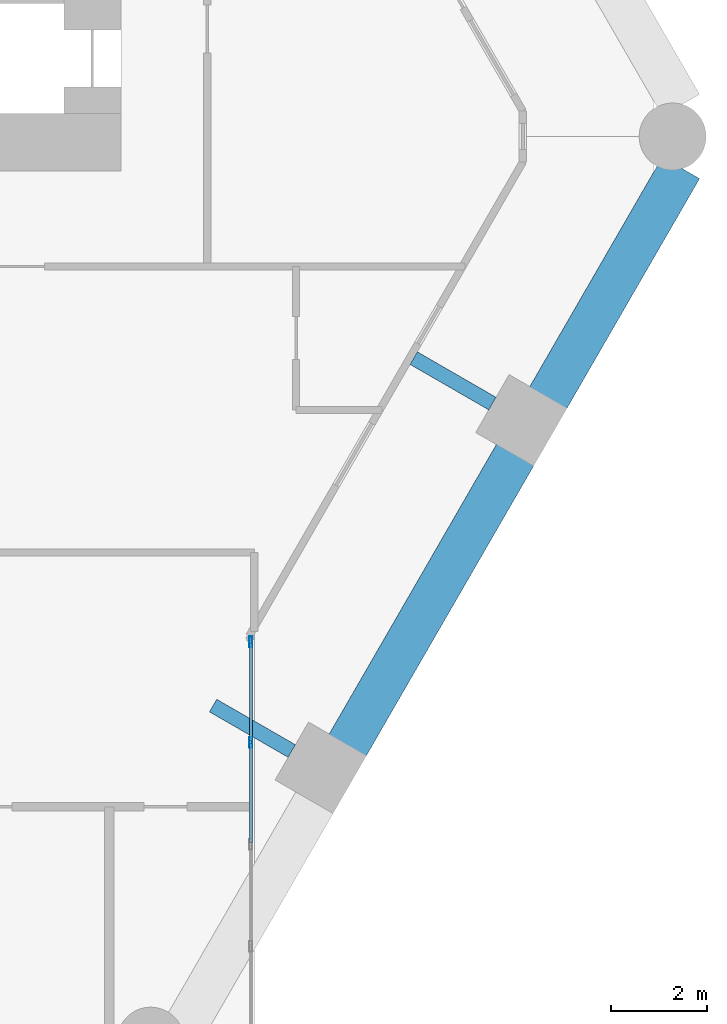
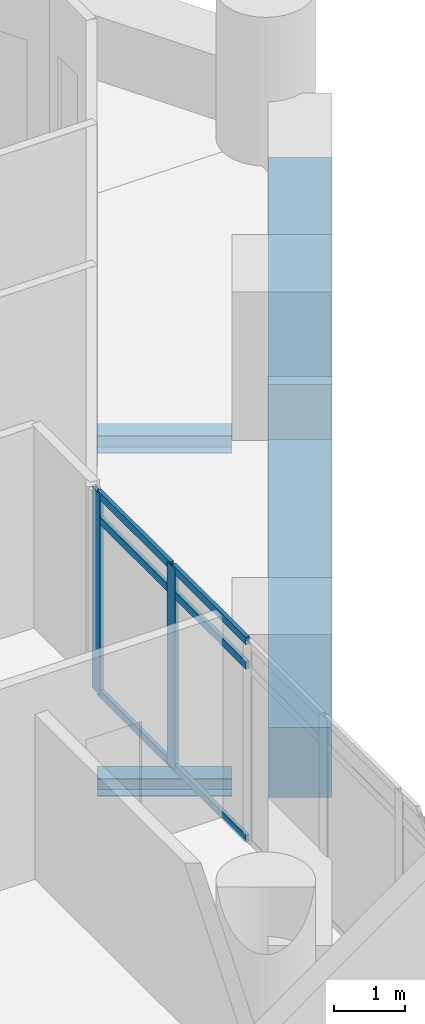
# One storey, part 11 of 28: 8 members, 4 beams, 1 element without a shape of its own.
"""IFC4 building model written with IfcOpenShell, lengths in metres."""

from ifc_helpers import new_model, si_unit, direction, frame, origin, origin_2d, place, context, subcontext, project, spatial, rectangle, hollow_rectangle, i_section, extrude, material, material_profile, profile_set, type_object, element, aggregate, save


model = new_model("IFC4")

# Units and contexts
model_context = context("Model", 3, precision=1e-05, world=origin(), true_north=direction((0.0, 1.0)))
body_context = subcontext(model_context, "Body", "Model", "MODEL_VIEW")
ifc_project = project(units=[si_unit("LENGTHUNIT", "METRE"), si_unit("AREAUNIT", "SQUARE_METRE"), si_unit("VOLUMEUNIT", "CUBIC_METRE"), si_unit("PLANEANGLEUNIT", "RADIAN"), si_unit("MASSUNIT", "GRAM", prefix="KILO")], contexts=[model_context])

# Site, building, storey
site_placement = place(None, origin())
site = spatial("IfcSite", under=ifc_project, at=site_placement, CompositionType="ELEMENT")
building_placement = place(site_placement, origin())
building = spatial("IfcBuilding", under=site, at=building_placement, Name="Ostrander Bayou Hotel Tower", CompositionType="ELEMENT")
storey_placement = place(building_placement, frame((0.0, 0.0, 73.0)))
storey = spatial("IfcBuildingStorey", under=building, at=storey_placement, Name="L18", CompositionType="ELEMENT", Elevation=73.0)

# Curtain wall, members
ifc_material_1 = material(Name="Aluminium and clear glass", Category="aluminium")
curtain_wall_type = type_object("IfcCurtainWallType", Name="CW-BAR glazed wall", PredefinedType="NOTDEFINED", material=ifc_material_1)
curtain_wall_placement = place(storey_placement, origin())
curtain_wall = element("IfcCurtainWall", 1, at=curtain_wall_placement, inside=storey, type_object=curtain_wall_type, Name="CW-BAR L18:SB1S:W", PredefinedType="NOTDEFINED")
ifc_material_2 = material(Name="Aluminium", Category="aluminium")
ifc_material_profile_1 = material_profile(ifc_material_2, hollow_rectangle(XDim=0.06005859375, YDim=0.219970703125, WallThickness=0.00390625, at=origin_2d()))
ifc_profile_set_1 = profile_set([ifc_material_profile_1], Name="Aluminium")
member_type_1 = type_object("IfcMemberType", Name="CW-BR mullion 60 x 220 mm", PredefinedType="MULLION", material=ifc_profile_set_1)
member_1_placement = place(storey_placement, frame((14.712158203125, -11.547607421875, 0.0), z_axis=(0.0, 0.0, 1.0), x_axis=(1.0, 0.0, 0.0)))
member_1 = element("IfcMember", 2, at=member_1_placement, type_object=member_type_1, Name="CW-BAR mullion 1", PredefinedType="MULLION", context=body_context, shape_type="SweptSolid", body=[
    extrude(hollow_rectangle(XDim=0.06005859375, YDim=0.219970703125, WallThickness=0.00390625, at=origin_2d()), origin(), (0.0, 0.0, 1.0), 3.449951171875),
])
member_2_placement = place(storey_placement, frame((14.712158203125, -13.650634765625, 0.0), z_axis=(0.0, 0.0, 1.0), x_axis=(1.0, 0.0, 0.0)))
member_2 = element("IfcMember", 3, at=member_2_placement, type_object=member_type_1, Name="CW-BAR mullion 2", PredefinedType="MULLION", context=body_context, shape_type="SweptSolid", body=[
    extrude(hollow_rectangle(XDim=0.06005859375, YDim=0.219970703125, WallThickness=0.00390625, at=origin_2d()), origin(), (0.0, 0.0, 1.0), 3.449951171875),
])
ifc_material_3 = material(Name="Aluminium", Category="aluminium")
ifc_material_profile_2 = material_profile(ifc_material_3, hollow_rectangle(XDim=0.06005859375, YDim=0.1298828125, WallThickness=0.00390625, at=origin_2d()))
ifc_profile_set_2 = profile_set([ifc_material_profile_2], Name="Aluminium")
member_type_2 = type_object("IfcMemberType", Name="CW-BR transom 60 x 130 mm", PredefinedType="USERDEFINED", material=ifc_profile_set_2)
member_3_placement = place(storey_placement, frame((14.712158203125, -11.57763671875, 0.030029296875), z_axis=(0.0, -1.0, 0.0), x_axis=(1.0, 0.0, 0.0)))
member_3 = element("IfcMember", 4, at=member_3_placement, type_object=member_type_2, Name="CW-BAR transom 1.1", ObjectType="TRANSOM", PredefinedType="USERDEFINED", context=body_context, shape_type="SweptSolid", body=[
    extrude(hollow_rectangle(XDim=0.06005859375, YDim=0.1298828125, WallThickness=0.00390625, at=origin_2d()), origin(), (0.0, 0.0, 1.0), 2.043212890625),
])
member_4_placement = place(storey_placement, frame((14.712158203125, -11.57763671875, 3.0), z_axis=(0.0, -1.0, 0.0), x_axis=(1.0, 0.0, 0.0)))
member_4 = element("IfcMember", 5, at=member_4_placement, type_object=member_type_2, Name="CW-BAR transom 1.2", ObjectType="TRANSOM", PredefinedType="USERDEFINED", context=body_context, shape_type="SweptSolid", body=[
    extrude(hollow_rectangle(XDim=0.06005859375, YDim=0.1298828125, WallThickness=0.00390625, at=origin_2d()), origin(), (0.0, 0.0, 1.0), 2.043212890625),
])
member_5_placement = place(storey_placement, frame((14.712158203125, -11.57763671875, 3.419921875), z_axis=(0.0, -1.0, 0.0), x_axis=(1.0, 0.0, 0.0)))
member_5 = element("IfcMember", 6, at=member_5_placement, type_object=member_type_2, Name="CW-BAR transom 1.3", ObjectType="TRANSOM", PredefinedType="USERDEFINED", context=body_context, shape_type="SweptSolid", body=[
    extrude(hollow_rectangle(XDim=0.06005859375, YDim=0.1298828125, WallThickness=0.00390625, at=origin_2d()), origin(), (0.0, 0.0, 1.0), 2.043212890625),
])
member_6_placement = place(storey_placement, frame((14.712158203125, -13.6806640625, 0.030029296875), z_axis=(0.0, -1.0, 0.0), x_axis=(1.0, 0.0, 0.0)))
member_6 = element("IfcMember", 7, at=member_6_placement, type_object=member_type_2, Name="CW-BAR transom 2.1", ObjectType="TRANSOM", PredefinedType="USERDEFINED", context=body_context, shape_type="SweptSolid", body=[
    extrude(hollow_rectangle(XDim=0.06005859375, YDim=0.1298828125, WallThickness=0.00390625, at=origin_2d()), origin(), (0.0, 0.0, 1.0), 2.072998046875),
])
member_7_placement = place(storey_placement, frame((14.712158203125, -13.6806640625, 3.0), z_axis=(0.0, -1.0, 0.0), x_axis=(1.0, 0.0, 0.0)))
member_7 = element("IfcMember", 8, at=member_7_placement, type_object=member_type_2, Name="CW-BAR transom 2.2", ObjectType="TRANSOM", PredefinedType="USERDEFINED", context=body_context, shape_type="SweptSolid", body=[
    extrude(hollow_rectangle(XDim=0.06005859375, YDim=0.1298828125, WallThickness=0.00390625, at=origin_2d()), origin(), (0.0, 0.0, 1.0), 2.072998046875),
])
member_8_placement = place(storey_placement, frame((14.712158203125, -13.6806640625, 3.419921875), z_axis=(0.0, -1.0, 0.0), x_axis=(1.0, 0.0, 0.0)))
member_8 = element("IfcMember", 9, at=member_8_placement, type_object=member_type_2, Name="CW-BAR transom 2.3", ObjectType="TRANSOM", PredefinedType="USERDEFINED", context=body_context, shape_type="SweptSolid", body=[
    extrude(hollow_rectangle(XDim=0.06005859375, YDim=0.1298828125, WallThickness=0.00390625, at=origin_2d()), origin(), (0.0, 0.0, 1.0), 2.072998046875),
])
aggregate(curtain_wall, [member_1, member_2, member_3, member_4, member_5, member_6, member_7, member_8])

# Beams
ifc_material_4 = material(Name="Steel ASTM A992", Category="steel")
ifc_material_profile_3 = material_profile(ifc_material_4, i_section(OverallWidth=0.3046875, OverallDepth=0.307861328125, WebThickness=0.010009765625, FlangeThickness=0.015380859375, at=origin_2d()))
ifc_profile_set_3 = profile_set([ifc_material_profile_3], Name="Steel ASTM A992")
beam_type_1 = type_object("IfcBeamType", Name="LB1 loggia bracket W12x65", PredefinedType="BEAM", material=ifc_profile_set_3)
beam_1_placement = place(storey_placement, frame((15.569091796875, -13.833251953125, -0.453857421875), z_axis=(-0.86601224135, 0.500022797313, 0.0), x_axis=(-0.500022797313, -0.86601224135, 0.0)))
element("IfcBeam", 10, at=beam_1_placement, inside=storey, type_object=beam_type_1, Name="LB1 L18 SE1", PredefinedType="BEAM", context=body_context, shape_type="SweptSolid", body=[
    extrude(i_section(OverallWidth=0.3046875, OverallDepth=0.307861328125, WebThickness=0.010009765625, FlangeThickness=0.015380859375, at=origin_2d()), origin(), (0.0, 0.0, 1.0), 1.89990234375),
])
beam_2_placement = place(storey_placement, frame((19.7646484375, -6.566650390625, -0.453857421875), z_axis=(-0.866044365799, 0.499967155389, 0.0), x_axis=(-0.499967155389, -0.866044365799, 0.0)))
element("IfcBeam", 11, at=beam_2_placement, inside=storey, type_object=beam_type_1, Name="LB1 L18 SE2", PredefinedType="BEAM", context=body_context, shape_type="SweptSolid", body=[
    extrude(i_section(OverallWidth=0.3046875, OverallDepth=0.307861328125, WebThickness=0.010009765625, FlangeThickness=0.015380859375, at=origin_2d()), origin(), (0.0, 0.0, 1.0), 1.900146484375),
])
ifc_material_5 = material(Name="Concrete f'c 70 MPa", Category="concrete")
ifc_material_profile_4 = material_profile(ifc_material_5, rectangle(XDim=0.89990234375, YDim=1.199951171875, at=origin_2d()))
ifc_profile_set_4 = profile_set([ifc_material_profile_4], Name="Concrete f'c 70 MPa")
beam_type_2 = type_object("IfcBeamType", Name="SP1 spandrel beam 900 x 1200 mm f'c 70 MPa", PredefinedType="SPANDREL", material=ifc_profile_set_4)
beam_3_placement = place(storey_placement, frame((16.726806640625, -13.72802734375, -0.60009765625), z_axis=(0.499997206141, 0.866027016814, 0.0), x_axis=(-0.866027016814, 0.499997206141, 0.0)))
element("IfcBeam", 12, at=beam_3_placement, inside=storey, type_object=beam_type_2, Name="SP1 L18 SE-2", PredefinedType="SPANDREL", context=body_context, shape_type="SweptSolid", body=[
    extrude(rectangle(XDim=0.89990234375, YDim=1.199951171875, at=origin_2d()), origin(), (0.0, 0.0, 1.0), 7.05078125),
])
beam_4_placement = place(storey_placement, frame((20.92236328125, -6.46142578125, -0.60009765625), z_axis=(0.500009557824, 0.866019885502, 0.0), x_axis=(-0.866019885502, 0.500009557824, 0.0)))
element("IfcBeam", 13, at=beam_4_placement, inside=storey, type_object=beam_type_2, Name="SP1 L18 SE-3", PredefinedType="SPANDREL", context=body_context, shape_type="SweptSolid", body=[
    extrude(rectangle(XDim=0.89990234375, YDim=1.199951171875, at=origin_2d()), origin(), (0.0, 0.0, 1.0), 5.56982421875),
])

save(model, "model.ifc")
